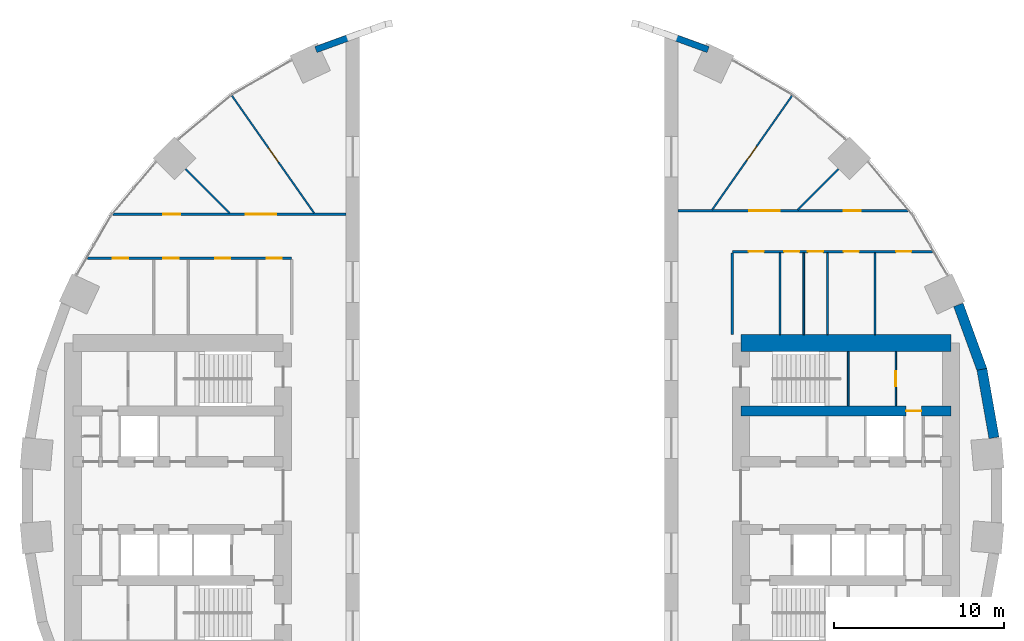
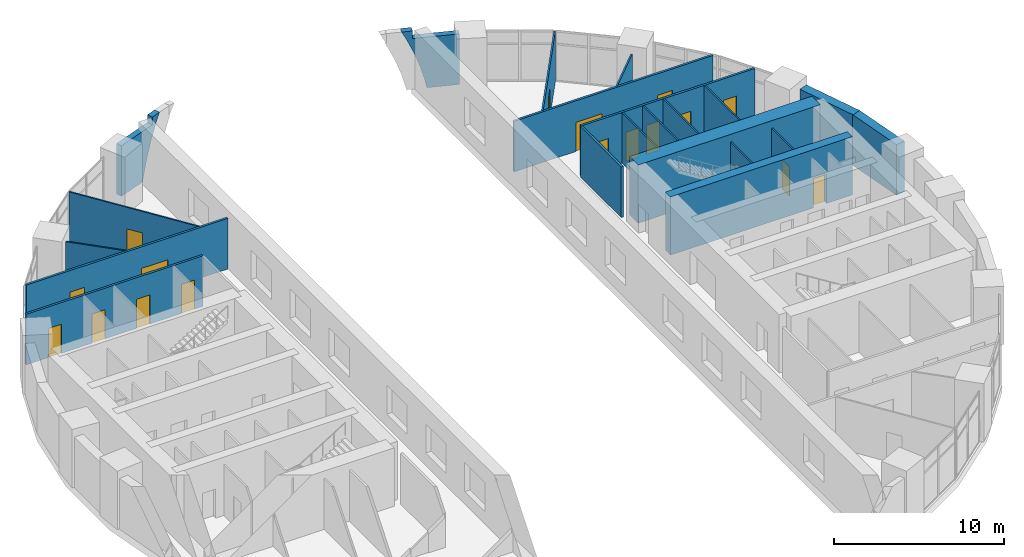
# One storey, part 11 of 13: 21 walls, 17 doors, 17 openings.
"""IFC4 building model written with IfcOpenShell, lengths in metres."""

from ifc_helpers import new_model, si_unit, direction, frame, frame_2d, origin, place, context, subcontext, project, spatial, polyline, rectangle, outline, extrude, material, layer, layer_set, type_object, element, fill, save


model = new_model("IFC4")

# Units and contexts
model_context = context("Model", 3, precision=1e-05, world=origin(), true_north=direction((0.0, 1.0)))
body_context = subcontext(model_context, "Body", "Model", "MODEL_VIEW")
ifc_project = project(units=[si_unit("LENGTHUNIT", "METRE"), si_unit("AREAUNIT", "SQUARE_METRE"), si_unit("VOLUMEUNIT", "CUBIC_METRE"), si_unit("PLANEANGLEUNIT", "RADIAN"), si_unit("MASSUNIT", "GRAM", prefix="KILO")], contexts=[model_context])

# Site, building, storey
site_placement = place(None, origin())
site = spatial("IfcSite", under=ifc_project, at=site_placement, CompositionType="ELEMENT")
building_placement = place(site_placement, origin())
building = spatial("IfcBuilding", under=site, at=building_placement, Name="Saqina Gate Tower", CompositionType="ELEMENT")
storey_placement = place(building_placement, frame((0.0, 0.0, 9.199951171875)))
storey = spatial("IfcBuildingStorey", under=building, at=storey_placement, Name="L02", CompositionType="ELEMENT", Elevation=9.199951171875)

# Wall, opening, door
ifc_material_1 = material(Name="Gypsum board on steel studs", Category="steel")
ifc_layer_1 = layer(ifc_material_1, 0.10009765625)
ifc_layer_set_1 = layer_set([ifc_layer_1], Name="CORE PARTITION")
wall_type_1 = type_object("IfcWallType", Name="CORE PARTITION", PredefinedType="PARTITIONING", material=ifc_layer_set_1)
wall_1_placement = place(storey_placement, frame((22.639892578125, 5.300048828125, 0.0), z_axis=(0.0, 0.0, 1.0), x_axis=(0.0, 1.0, 0.0)))
wall_1 = element("IfcWall", 1, at=wall_1_placement, inside=storey, type_object=wall_type_1, Name="L02-CP-E12", PredefinedType="PARTITIONING", context=body_context, shape_type="SweptSolid", body=[
    extrude(rectangle(XDim=3.199951171875, YDim=0.10009765625, at=frame_2d((1.60009765625, 0.0))), origin(), (0.0, 0.0, 1.0), 3.650146484375),
])
opening_1_placement = place(wall_1_placement, frame((1.14990234375, 0.0, 0.0)))
opening_1 = element("IfcOpeningElement", 2, at=opening_1_placement, cuts=wall_1, Name="Opening L02-D98", PredefinedType="OPENING", context=body_context, shape_type="SweptSolid", body=[
    extrude(rectangle(XDim=0.89990234375, YDim=2.10009765625, at=frame_2d((0.449951171875, 1.050048828125))), frame((0.0, 0.06201171875, 0.0), z_axis=(0.0, -1.0, 0.0), x_axis=(1.0, 0.0, 0.0)), (0.0, 0.0, 1.0), 0.1240234375),
])
ifc_material_2 = material(Name="Steel-framed fire door leaf, EI 60", Category="steel")
door_type_1 = type_object("IfcDoorType", Name="SERVICE ROOM DOOR 900", OperationType="SINGLE_SWING_LEFT", PredefinedType="DOOR", material=ifc_material_2)
door_1_placement = place(opening_1_placement, origin())
door_1 = element("IfcDoor", 3, at=door_1_placement, inside=storey, type_object=door_type_1, Name="L02-CD-E09", OperationType="SINGLE_SWING_LEFT", OverallHeight=2.10009765625, OverallWidth=0.89990234375, PredefinedType="DOOR", context=body_context, shape_type="SweptSolid", body=[
    extrude(rectangle(XDim=0.89990234375, YDim=2.10009765625, at=frame_2d((0.449951171875, 1.050048828125))), frame((0.0, 0.02490234375, 0.0), z_axis=(0.0, -1.0, 0.0), x_axis=(1.0, 0.0, 0.0)), (0.0, 0.0, 1.0), 0.050048828125),
])
fill(opening_1, door_1)

# Walls
ifc_material_3 = material(Name="Glazed ceramic tile", Category="ceramic")
ifc_layer_2 = layer(ifc_material_3, 0.3798828125)
ifc_layer_set_2 = layer_set([ifc_layer_2], Name="FW-ARCH")
wall_type_2 = type_object("IfcWallType", Name="FW-ARCH", PredefinedType="SOLIDWALL", material=ifc_layer_set_2)
wall_2_placement = place(storey_placement, frame((11.63427734375, 26.489501953125, 0.0), z_axis=(0.342051555154, 0.93967909211, 0.001984305274), x_axis=(-0.000667381896, -0.001868746859, 0.999998031191)))
element("IfcWall", 4, at=wall_2_placement, inside=storey, type_object=wall_type_2, Name="Arch frame wall L02 facet 7", PredefinedType="SOLIDWALL", context=body_context, shape_type="SweptSolid", body=[
    extrude(outline(polyline([(0.0, 0.0), (3.6501537019221018, -4.743384504624082e-20), (3.6501198020688137, -2.810119309742703), (4.199925557926761, -2.81025074623976), (4.199917719626534, -3.4670382149166654), (3.71920675976475, -3.2107254455572836), (2.622286896243544, -2.7269036098842347), (1.4948477201232493, -2.3276621119004526), (0.3427497354131093, -2.014606922465925), (-2.335139765218745e-05, -1.94881575440741), (0.0, 0.0)])), origin(), (0.0, 0.0, -1.0), 0.3798828125),
])
wall_3_placement = place(storey_placement, frame((-11.63427734375, 26.489501953125, 0.0), z_axis=(-0.342078632434, 0.939669193197, 0.002004142629), x_axis=(0.939671080385, 0.342079319292, 7.3534e-08)))
element("IfcWall", 5, at=wall_3_placement, inside=storey, type_object=wall_type_2, Name="Arch frame wall L02 facet 11", PredefinedType="SOLIDWALL", context=body_context, shape_type="SweptSolid", body=[
    extrude(outline(polyline([(0.0, 0.0), (1.948586339003385, -2.168404344971009e-19), (2.014602786141146, -0.34277404568991265), (2.3276440750591147, -1.4948758066941112), (2.7269554784534904, -2.6223193442076744), (3.2106805663229565, -3.719245502818647), (3.466987531791186, -4.1999595577321935), (2.810200064759203, -4.199959469454379), (2.810075262395404, -3.6501537122836964), (-4.4045588333095914e-05, -3.6501537012489695), (0.0, 0.0)])), origin(), (0.0, 0.0, -1.0), 0.3798828125),
])
ifc_material_4 = material(Name="Glazed ceramic tile", Category="ceramic")
ifc_layer_3 = layer(ifc_material_4, 0.60009765625)
ifc_layer_set_3 = layer_set([ifc_layer_3], Name="FW-TILE")
wall_type_3 = type_object("IfcWallType", Name="FW-TILE", PredefinedType="SOLIDWALL", material=ifc_layer_set_3)
wall_4_placement = place(storey_placement, frame((28.42822265625, 3.416748046875, 0.0), z_axis=(0.0, 0.0, 1.0), x_axis=(-0.173673210505, 0.984803338719, 0.0)))
element("IfcWall", 6, at=wall_4_placement, inside=storey, type_object=wall_type_3, Name="Facade wall L02 facet 1", PredefinedType="SOLIDWALL", context=body_context, shape_type="SweptSolid", body=[
    extrude(rectangle(XDim=4.09912109375, YDim=0.60009765625, at=frame_2d((2.049560546875, 0.0))), origin(), (0.0, 0.0, 1.0), 3.650146484375),
])
ifc_material_5 = material(Name="Glazed ceramic tile (white)", Category="ceramic")
ifc_layer_4 = layer(ifc_material_5, 0.60009765625)
ifc_layer_set_4 = layer_set([ifc_layer_4], Name="FW-TILE-WH")
wall_type_4 = type_object("IfcWallType", Name="FW-TILE-WH", PredefinedType="SOLIDWALL", material=ifc_layer_set_4)
wall_5_placement = place(storey_placement, frame((27.72998046875, 7.403076171875, 0.0), z_axis=(0.0, 0.0, 1.0), x_axis=(-0.342034744565, 0.939687306241, 0.0)))
element("IfcWall", 7, at=wall_5_placement, inside=storey, type_object=wall_type_4, Name="Facade wall L02 facet 2", PredefinedType="SOLIDWALL", context=body_context, shape_type="SweptSolid", body=[
    extrude(rectangle(XDim=4.099365234375, YDim=0.60009765625, at=frame_2d((2.0498046875, 0.0))), origin(), (0.0, 0.0, 1.0), 3.650146484375),
])

# Wall, opening, door
ifc_material_6 = material(Name="Gypsum board on steel studs, 100 mm", Category="steel")
ifc_layer_5 = layer(ifc_material_6, 0.10009765625)
ifc_layer_set_5 = layer_set([ifc_layer_5], Name="SPECIAL PARTITION 100")
wall_type_5 = type_object("IfcWallType", Name="SPECIAL PARTITION 100", PredefinedType="PARTITIONING", material=ifc_layer_set_5)
wall_6_placement = place(storey_placement, frame((-16.51904296875, 23.591064453125, 0.0), z_axis=(0.0, 0.0, 1.0), x_axis=(0.573574670768, -0.819153280561, 0.0)))
wall_6 = element("IfcWall", 8, at=wall_6_placement, inside=storey, type_object=wall_type_5, Name="PARTITION 001", PredefinedType="PARTITIONING", context=body_context, shape_type="SweptSolid", body=[
    extrude(rectangle(XDim=8.460205078125, YDim=0.10009765625, at=frame_2d((4.22998046875, 0.0))), origin(), (0.0, 0.0, 1.0), 3.650146484375),
])
opening_2_placement = place(wall_6_placement, frame((3.767578125, 0.0, 0.0)))
opening_2 = element("IfcOpeningElement", 9, at=opening_2_placement, cuts=wall_6, Name="Opening L02-D09", PredefinedType="OPENING", context=body_context, shape_type="SweptSolid", body=[
    extrude(rectangle(XDim=1.0, YDim=2.10009765625, at=frame_2d((0.5, 1.050048828125))), frame((0.0, 0.06201171875, 0.0), z_axis=(0.0, -1.0, 0.0), x_axis=(1.0, 0.0, 0.0)), (0.0, 0.0, 1.0), 0.1240234375),
])
ifc_material_7 = material(Name="Timber door leaf", Category="wood")
door_type_2 = type_object("IfcDoorType", Name="SPECIAL DOOR 1000 TIMBER", OperationType="SINGLE_SWING_LEFT", PredefinedType="DOOR", material=ifc_material_7)
door_2_placement = place(opening_2_placement, origin())
door_2 = element("IfcDoor", 10, at=door_2_placement, inside=storey, type_object=door_type_2, Name="DOOR L02-D09", OperationType="SINGLE_SWING_RIGHT", OverallHeight=2.10009765625, OverallWidth=1.0, PredefinedType="DOOR", context=body_context, shape_type="SweptSolid", body=[
    extrude(rectangle(XDim=1.0, YDim=2.10009765625, at=frame_2d((0.5, 1.050048828125))), frame((0.0, 0.02490234375, 0.0), z_axis=(0.0, -1.0, 0.0), x_axis=(1.0, 0.0, 0.0)), (0.0, 0.0, 1.0), 0.050048828125),
])
fill(opening_2, door_2)

# Walls
wall_7_placement = place(storey_placement, frame((-19.26171875, 19.26171875, 0.0), z_axis=(0.0, 0.0, 1.0), x_axis=(0.707106781187, -0.707106781187, 0.0)))
element("IfcWall", 11, at=wall_7_placement, inside=storey, type_object=wall_type_5, Name="PARTITION 004", PredefinedType="PARTITIONING", context=body_context, shape_type="SweptSolid", body=[
    extrude(rectangle(XDim=3.689208984375, YDim=0.10009765625, at=frame_2d((1.8447265625, 0.0))), origin(), (0.0, 0.0, 1.0), 3.650146484375),
])
wall_8_placement = place(storey_placement, frame((16.85302734375, 16.85302734375, 0.0), z_axis=(0.0, 0.0, 1.0), x_axis=(0.707106781187, 0.707106781187, 0.0)))
element("IfcWall", 12, at=wall_8_placement, inside=storey, type_object=wall_type_5, Name="PARTITION 014", PredefinedType="PARTITIONING", context=body_context, shape_type="SweptSolid", body=[
    extrude(rectangle(XDim=3.406494140625, YDim=0.10009765625, at=frame_2d((1.703125, 0.0))), origin(), (0.0, 0.0, 1.0), 3.650146484375),
])

# Wall, opening, door
wall_9_placement = place(storey_placement, frame((11.805908203125, 16.861328125, 0.0), z_axis=(0.0, 0.0, 1.0), x_axis=(0.573651788308, 0.819099277115, 0.0)))
wall_9 = element("IfcWall", 13, at=wall_9_placement, inside=storey, type_object=wall_type_5, Name="PARTITION 016", PredefinedType="PARTITIONING", context=body_context, shape_type="SweptSolid", body=[
    extrude(rectangle(XDim=8.216064453125, YDim=0.10009765625, at=frame_2d((4.10791015625, 0.0))), origin(), (0.0, 0.0, 1.0), 3.650146484375),
])
opening_3_placement = place(wall_9_placement, frame((3.5703125, 0.0, 0.0)))
opening_3 = element("IfcOpeningElement", 14, at=opening_3_placement, cuts=wall_9, Name="Opening L02-D08", PredefinedType="OPENING", context=body_context, shape_type="SweptSolid", body=[
    extrude(rectangle(XDim=1.0, YDim=2.10009765625, at=frame_2d((0.5, 1.050048828125))), frame((0.0, 0.06201171875, 0.0), z_axis=(0.0, -1.0, 0.0), x_axis=(1.0, 0.0, 0.0)), (0.0, 0.0, 1.0), 0.1240234375),
])
door_3_placement = place(opening_3_placement, origin())
door_3 = element("IfcDoor", 15, at=door_3_placement, inside=storey, type_object=door_type_2, Name="DOOR L02-D08", OperationType="SINGLE_SWING_LEFT", OverallHeight=2.10009765625, OverallWidth=1.0, PredefinedType="DOOR", context=body_context, shape_type="SweptSolid", body=[
    extrude(rectangle(XDim=1.0, YDim=2.10009765625, at=frame_2d((0.5, 1.050048828125))), frame((0.0, 0.02490234375, 0.0), z_axis=(0.0, -1.0, 0.0), x_axis=(1.0, 0.0, 0.0)), (0.0, 0.0, 1.0), 0.050048828125),
])
fill(opening_3, door_3)

# Walls
for number, where, z_axis, x_axis, name in (
    (16, (21.406982421875, 9.5, 0.0), (0.0, 0.0, 1.0), (0.0, 1.0, 0.0), "PARTITION 018"),
    (17, (18.60498046875, 9.5, 0.0), (0.0, 0.0, 1.0), (0.0, 1.0, 0.0), "PARTITION 019"),
    (18, (17.2041015625, 9.5, 0.0), (0.0, 0.0, 1.0), (0.0, 1.0, 0.0), "PARTITION 021"),
    (19, (15.802001953125, 9.5, 0.0), (0.0, 0.0, 1.0), (0.0, 1.0, 0.0), "PARTITION 022"),
):
    element("IfcWall", number, at=place(storey_placement, frame(where, z_axis=z_axis, x_axis=x_axis)), inside=storey, type_object=wall_type_5, Name=name, PredefinedType="PARTITIONING", context=body_context, shape_type="SweptSolid", body=[
        extrude(rectangle(XDim=4.824951171875, YDim=0.10009765625, at=frame_2d((2.41259765625, 0.0))), origin(), (0.0, 0.0, 1.0), 3.650146484375),
    ])

# Wall, openings, doors
ifc_material_8 = material(Name="Gypsum board on steel studs, 150 mm, fire rated", Category="steel")
ifc_layer_6 = layer(ifc_material_8, 0.14990234375)
ifc_layer_set_6 = layer_set([ifc_layer_6], Name="SPECIAL PARTITION EI 30 150")
wall_type_6 = type_object("IfcWallType", Name="SPECIAL PARTITION EI 30 150", PredefinedType="PARTITIONING", material=ifc_layer_set_6)
wall_10_placement = place(storey_placement, frame((-25.044921875, 14.0, 0.0), z_axis=(0.0, 0.0, 1.0), x_axis=(1.0, 0.0, 0.0)))
wall_10 = element("IfcWall", 20, at=wall_10_placement, inside=storey, type_object=wall_type_6, Name="PARTITION 009", PredefinedType="PARTITIONING", context=body_context, shape_type="SweptSolid", body=[
    extrude(rectangle(XDim=12.044921875, YDim=0.14990234375, at=frame_2d((6.0224609375, 0.0))), origin(), (0.0, 0.0, 1.0), 3.650146484375),
])
opening_4_placement = place(wall_10_placement, frame((10.57861328125, 0.0, 0.0)))
opening_4 = element("IfcOpeningElement", 21, at=opening_4_placement, cuts=wall_10, Name="Opening L02-D11", PredefinedType="OPENING", context=body_context, shape_type="SweptSolid", body=[
    extrude(rectangle(XDim=0.89990234375, YDim=2.10009765625, at=frame_2d((0.449951171875, 1.050048828125))), frame((0.0, 0.0869140625, 0.0), z_axis=(0.0, -1.0, 0.0), x_axis=(1.0, 0.0, 0.0)), (0.0, 0.0, 1.0), 0.173828125),
])
opening_5_placement = place(wall_10_placement, frame((7.528564453125, 0.0, 0.0)))
opening_5 = element("IfcOpeningElement", 22, at=opening_5_placement, cuts=wall_10, Name="Opening L02-D13", PredefinedType="OPENING", context=body_context, shape_type="SweptSolid", body=[
    extrude(rectangle(XDim=0.89990234375, YDim=2.10009765625, at=frame_2d((0.449951171875, 1.050048828125))), frame((0.0, 0.0869140625, 0.0), z_axis=(0.0, -1.0, 0.0), x_axis=(1.0, 0.0, 0.0)), (0.0, 0.0, 1.0), 0.173828125),
])
opening_6_placement = place(wall_10_placement, frame((4.478515625, 0.0, 0.0)))
opening_6 = element("IfcOpeningElement", 23, at=opening_6_placement, cuts=wall_10, Name="Opening L02-D14", PredefinedType="OPENING", context=body_context, shape_type="SweptSolid", body=[
    extrude(rectangle(XDim=0.89990234375, YDim=2.10009765625, at=frame_2d((0.449951171875, 1.050048828125))), frame((0.0, 0.0869140625, 0.0), z_axis=(0.0, -1.0, 0.0), x_axis=(1.0, 0.0, 0.0)), (0.0, 0.0, 1.0), 0.173828125),
])
opening_7_placement = place(wall_10_placement, frame((1.506103515625, 0.0, 0.0)))
opening_7 = element("IfcOpeningElement", 24, at=opening_7_placement, cuts=wall_10, Name="Opening L02-D15", PredefinedType="OPENING", context=body_context, shape_type="SweptSolid", body=[
    extrude(rectangle(XDim=0.89990234375, YDim=2.10009765625, at=frame_2d((0.449951171875, 1.050048828125))), frame((0.0, 0.0869140625, 0.0), z_axis=(0.0, -1.0, 0.0), x_axis=(1.0, 0.0, 0.0)), (0.0, 0.0, 1.0), 0.173828125),
])
ifc_material_9 = material(Name="Steel-framed fire door leaf, EI 30", Category="steel")
door_type_3 = type_object("IfcDoorType", Name="SPECIAL DOOR 900 FIRE EI 30", OperationType="SINGLE_SWING_LEFT", PredefinedType="DOOR", material=ifc_material_9)
door_4_placement = place(opening_4_placement, frame((0.89990234375, 0.0, 0.0), z_axis=(0.0, 0.0, 1.0), x_axis=(-1.0, 0.0, 0.0)))
door_4 = element("IfcDoor", 25, at=door_4_placement, inside=storey, type_object=door_type_3, Name="DOOR L02-D11", OperationType="SINGLE_SWING_LEFT", OverallHeight=2.10009765625, OverallWidth=0.89990234375, PredefinedType="DOOR", context=body_context, shape_type="SweptSolid", body=[
    extrude(rectangle(XDim=0.89990234375, YDim=2.10009765625, at=frame_2d((0.449951171875, 1.050048828125))), frame((0.0, 0.02490234375, 0.0), z_axis=(0.0, -1.0, 0.0), x_axis=(1.0, 0.0, 0.0)), (0.0, 0.0, 1.0), 0.050048828125),
])
fill(opening_4, door_4)
door_5_placement = place(opening_5_placement, frame((0.89990234375, 0.0, 0.0), z_axis=(0.0, 0.0, 1.0), x_axis=(-1.0, 0.0, 0.0)))
door_5 = element("IfcDoor", 26, at=door_5_placement, inside=storey, type_object=door_type_3, Name="DOOR L02-D13", OperationType="SINGLE_SWING_LEFT", OverallHeight=2.10009765625, OverallWidth=0.89990234375, PredefinedType="DOOR", context=body_context, shape_type="SweptSolid", body=[
    extrude(rectangle(XDim=0.89990234375, YDim=2.10009765625, at=frame_2d((0.449951171875, 1.050048828125))), frame((0.0, 0.02490234375, 0.0), z_axis=(0.0, -1.0, 0.0), x_axis=(1.0, 0.0, 0.0)), (0.0, 0.0, 1.0), 0.050048828125),
])
fill(opening_5, door_5)
door_6_placement = place(opening_6_placement, frame((0.89990234375, 0.0, 0.0), z_axis=(0.0, 0.0, 1.0), x_axis=(-1.0, 0.0, 0.0)))
door_6 = element("IfcDoor", 27, at=door_6_placement, inside=storey, type_object=door_type_3, Name="DOOR L02-D14", OperationType="SINGLE_SWING_RIGHT", OverallHeight=2.10009765625, OverallWidth=0.89990234375, PredefinedType="DOOR", context=body_context, shape_type="SweptSolid", body=[
    extrude(rectangle(XDim=0.89990234375, YDim=2.10009765625, at=frame_2d((0.449951171875, 1.050048828125))), frame((0.0, 0.02490234375, 0.0), z_axis=(0.0, -1.0, 0.0), x_axis=(1.0, 0.0, 0.0)), (0.0, 0.0, 1.0), 0.050048828125),
])
fill(opening_6, door_6)
door_7_placement = place(opening_7_placement, frame((0.89990234375, 0.0, 0.0), z_axis=(0.0, 0.0, 1.0), x_axis=(-1.0, 0.0, 0.0)))
door_7 = element("IfcDoor", 28, at=door_7_placement, inside=storey, type_object=door_type_3, Name="DOOR L02-D15", OperationType="SINGLE_SWING_RIGHT", OverallHeight=2.10009765625, OverallWidth=0.89990234375, PredefinedType="DOOR", context=body_context, shape_type="SweptSolid", body=[
    extrude(rectangle(XDim=0.89990234375, YDim=2.10009765625, at=frame_2d((0.449951171875, 1.050048828125))), frame((0.0, 0.02490234375, 0.0), z_axis=(0.0, -1.0, 0.0), x_axis=(1.0, 0.0, 0.0)), (0.0, 0.0, 1.0), 0.050048828125),
])
fill(opening_7, door_7)

wall_11_placement = place(storey_placement, frame((13.0, 14.39990234375, 0.0), z_axis=(0.0, 0.0, 1.0), x_axis=(1.0, 0.0, 0.0)))
wall_11 = element("IfcWall", 29, at=wall_11_placement, inside=storey, type_object=wall_type_6, Name="PARTITION 010", PredefinedType="PARTITIONING", context=body_context, shape_type="SweptSolid", body=[
    extrude(rectangle(XDim=11.81396484375, YDim=0.14990234375, at=frame_2d((5.906982421875, 0.0))), origin(), (0.0, 0.0, 1.0), 3.650146484375),
])
opening_8_placement = place(wall_11_placement, frame((9.660400390625, 0.0, 0.0)))
opening_8 = element("IfcOpeningElement", 30, at=opening_8_placement, cuts=wall_11, Name="Opening L02-D01", PredefinedType="OPENING", context=body_context, shape_type="SweptSolid", body=[
    extrude(rectangle(XDim=0.89990234375, YDim=2.10009765625, at=frame_2d((0.449951171875, 1.050048828125))), frame((0.0, 0.0869140625, 0.0), z_axis=(0.0, -1.0, 0.0), x_axis=(1.0, 0.0, 0.0)), (0.0, 0.0, 1.0), 0.173828125),
])
opening_9_placement = place(wall_11_placement, frame((6.555908203125, 0.0, 0.0)))
opening_9 = element("IfcOpeningElement", 31, at=opening_9_placement, cuts=wall_11, Name="Opening L02-D02", PredefinedType="OPENING", context=body_context, shape_type="SweptSolid", body=[
    extrude(rectangle(XDim=0.89990234375, YDim=2.10009765625, at=frame_2d((0.449951171875, 1.050048828125))), frame((0.0, 0.0869140625, 0.0), z_axis=(0.0, -1.0, 0.0), x_axis=(1.0, 0.0, 0.0)), (0.0, 0.0, 1.0), 0.173828125),
])
opening_10_placement = place(wall_11_placement, frame((4.45458984375, 0.0, 0.0)))
opening_10 = element("IfcOpeningElement", 32, at=opening_10_placement, cuts=wall_11, Name="Opening L02-D03", PredefinedType="OPENING", context=body_context, shape_type="SweptSolid", body=[
    extrude(rectangle(XDim=0.89990234375, YDim=2.10009765625, at=frame_2d((0.449951171875, 1.050048828125))), frame((0.0, 0.0869140625, 0.0), z_axis=(0.0, -1.0, 0.0), x_axis=(1.0, 0.0, 0.0)), (0.0, 0.0, 1.0), 0.173828125),
])
opening_11_placement = place(wall_11_placement, frame((3.052978515625, 0.0, 0.0)))
opening_11 = element("IfcOpeningElement", 33, at=opening_11_placement, cuts=wall_11, Name="Opening L02-D05", PredefinedType="OPENING", context=body_context, shape_type="SweptSolid", body=[
    extrude(rectangle(XDim=0.89990234375, YDim=2.10009765625, at=frame_2d((0.449951171875, 1.050048828125))), frame((0.0, 0.0869140625, 0.0), z_axis=(0.0, -1.0, 0.0), x_axis=(1.0, 0.0, 0.0)), (0.0, 0.0, 1.0), 0.173828125),
])
opening_12_placement = place(wall_11_placement, frame((0.950927734375, 0.0, 0.0)))
opening_12 = element("IfcOpeningElement", 34, at=opening_12_placement, cuts=wall_11, Name="Opening L02-D06", PredefinedType="OPENING", context=body_context, shape_type="SweptSolid", body=[
    extrude(rectangle(XDim=0.89990234375, YDim=2.10009765625, at=frame_2d((0.449951171875, 1.050048828125))), frame((0.0, 0.0869140625, 0.0), z_axis=(0.0, -1.0, 0.0), x_axis=(1.0, 0.0, 0.0)), (0.0, 0.0, 1.0), 0.173828125),
])
door_8_placement = place(opening_8_placement, frame((0.89990234375, 0.0, 0.0), z_axis=(0.0, 0.0, 1.0), x_axis=(-1.0, 0.0, 0.0)))
door_8 = element("IfcDoor", 35, at=door_8_placement, inside=storey, type_object=door_type_3, Name="DOOR L02-D01", OperationType="SINGLE_SWING_LEFT", OverallHeight=2.10009765625, OverallWidth=0.89990234375, PredefinedType="DOOR", context=body_context, shape_type="SweptSolid", body=[
    extrude(rectangle(XDim=0.89990234375, YDim=2.10009765625, at=frame_2d((0.449951171875, 1.050048828125))), frame((0.0, 0.02490234375, 0.0), z_axis=(0.0, -1.0, 0.0), x_axis=(1.0, 0.0, 0.0)), (0.0, 0.0, 1.0), 0.050048828125),
])
fill(opening_8, door_8)
door_9_placement = place(opening_9_placement, frame((0.89990234375, 0.0, 0.0), z_axis=(0.0, 0.0, 1.0), x_axis=(-1.0, 0.0, 0.0)))
door_9 = element("IfcDoor", 36, at=door_9_placement, inside=storey, type_object=door_type_3, Name="DOOR L02-D02", OperationType="SINGLE_SWING_LEFT", OverallHeight=2.10009765625, OverallWidth=0.89990234375, PredefinedType="DOOR", context=body_context, shape_type="SweptSolid", body=[
    extrude(rectangle(XDim=0.89990234375, YDim=2.10009765625, at=frame_2d((0.449951171875, 1.050048828125))), frame((0.0, 0.02490234375, 0.0), z_axis=(0.0, -1.0, 0.0), x_axis=(1.0, 0.0, 0.0)), (0.0, 0.0, 1.0), 0.050048828125),
])
fill(opening_9, door_9)
door_10_placement = place(opening_10_placement, frame((0.89990234375, 0.0, 0.0), z_axis=(0.0, 0.0, 1.0), x_axis=(-1.0, 0.0, 0.0)))
door_10 = element("IfcDoor", 37, at=door_10_placement, inside=storey, type_object=door_type_3, Name="DOOR L02-D03", OperationType="SINGLE_SWING_RIGHT", OverallHeight=2.10009765625, OverallWidth=0.89990234375, PredefinedType="DOOR", context=body_context, shape_type="SweptSolid", body=[
    extrude(rectangle(XDim=0.89990234375, YDim=2.10009765625, at=frame_2d((0.449951171875, 1.050048828125))), frame((0.0, 0.02490234375, 0.0), z_axis=(0.0, -1.0, 0.0), x_axis=(1.0, 0.0, 0.0)), (0.0, 0.0, 1.0), 0.050048828125),
])
fill(opening_10, door_10)
door_11_placement = place(opening_11_placement, frame((0.89990234375, 0.0, 0.0), z_axis=(0.0, 0.0, 1.0), x_axis=(-1.0, 0.0, 0.0)))
door_11 = element("IfcDoor", 38, at=door_11_placement, inside=storey, type_object=door_type_3, Name="DOOR L02-D05", OperationType="SINGLE_SWING_RIGHT", OverallHeight=2.10009765625, OverallWidth=0.89990234375, PredefinedType="DOOR", context=body_context, shape_type="SweptSolid", body=[
    extrude(rectangle(XDim=0.89990234375, YDim=2.10009765625, at=frame_2d((0.449951171875, 1.050048828125))), frame((0.0, 0.02490234375, 0.0), z_axis=(0.0, -1.0, 0.0), x_axis=(1.0, 0.0, 0.0)), (0.0, 0.0, 1.0), 0.050048828125),
])
fill(opening_11, door_11)
door_12_placement = place(opening_12_placement, frame((0.89990234375, 0.0, 0.0), z_axis=(0.0, 0.0, 1.0), x_axis=(-1.0, 0.0, 0.0)))
door_12 = element("IfcDoor", 39, at=door_12_placement, inside=storey, type_object=door_type_3, Name="DOOR L02-D06", OperationType="SINGLE_SWING_RIGHT", OverallHeight=2.10009765625, OverallWidth=0.89990234375, PredefinedType="DOOR", context=body_context, shape_type="SweptSolid", body=[
    extrude(rectangle(XDim=0.89990234375, YDim=2.10009765625, at=frame_2d((0.449951171875, 1.050048828125))), frame((0.0, 0.02490234375, 0.0), z_axis=(0.0, -1.0, 0.0), x_axis=(1.0, 0.0, 0.0)), (0.0, 0.0, 1.0), 0.050048828125),
])
fill(opening_12, door_12)

wall_12_placement = place(storey_placement, frame((-23.52294921875, 16.60009765625, 0.0), z_axis=(0.0, 0.0, 1.0), x_axis=(1.0, 0.0, 0.0)))
wall_12 = element("IfcWall", 40, at=wall_12_placement, inside=storey, type_object=wall_type_6, Name="PARTITION 011", PredefinedType="PARTITIONING", context=body_context, shape_type="SweptSolid", body=[
    extrude(rectangle(XDim=13.722900390625, YDim=0.14990234375, at=frame_2d((6.861328125, 0.0))), origin(), (0.0, 0.0, 1.0), 3.650146484375),
])
opening_13_placement = place(wall_12_placement, frame((7.824951171875, 0.0, 0.0)))
opening_13 = element("IfcOpeningElement", 41, at=opening_13_placement, cuts=wall_12, Name="Opening L02-D10", PredefinedType="OPENING", context=body_context, shape_type="SweptSolid", body=[
    extrude(rectangle(XDim=1.800048828125, YDim=2.10009765625, at=frame_2d((0.89990234375, 1.050048828125))), frame((0.0, 0.0869140625, 0.0), z_axis=(0.0, -1.0, 0.0), x_axis=(1.0, 0.0, 0.0)), (0.0, 0.0, 1.0), 0.173828125),
])
opening_14_placement = place(wall_12_placement, frame((2.96142578125, 0.0, 0.0)))
opening_14 = element("IfcOpeningElement", 42, at=opening_14_placement, cuts=wall_12, Name="Opening L02-D12", PredefinedType="OPENING", context=body_context, shape_type="SweptSolid", body=[
    extrude(rectangle(XDim=1.0, YDim=2.10009765625, at=frame_2d((0.5, 1.050048828125))), frame((0.0, 0.0869140625, 0.0), z_axis=(0.0, -1.0, 0.0), x_axis=(1.0, 0.0, 0.0)), (0.0, 0.0, 1.0), 0.173828125),
])
ifc_material_10 = material(Name="Steel-framed fire door leaf, EI 30", Category="steel")
door_type_4 = type_object("IfcDoorType", Name="SPECIAL DOOR 1000 FIRE EI 30", OperationType="SINGLE_SWING_LEFT", PredefinedType="DOOR", material=ifc_material_10)
door_13_placement = place(opening_14_placement, origin())
door_13 = element("IfcDoor", 43, at=door_13_placement, inside=storey, type_object=door_type_4, Name="DOOR L02-D12", OperationType="SINGLE_SWING_LEFT", OverallHeight=2.10009765625, OverallWidth=1.0, PredefinedType="DOOR", context=body_context, shape_type="SweptSolid", body=[
    extrude(rectangle(XDim=1.0, YDim=2.10009765625, at=frame_2d((0.5, 1.050048828125))), frame((0.0, 0.02490234375, 0.0), z_axis=(0.0, -1.0, 0.0), x_axis=(1.0, 0.0, 0.0)), (0.0, 0.0, 1.0), 0.050048828125),
])
fill(opening_14, door_13)
ifc_material_11 = material(Name="Steel-framed fire door leaf, EI 30", Category="steel")
door_type_5 = type_object("IfcDoorType", Name="SPECIAL DOUBLE DOOR 1800 FIRE EI 30", OperationType="DOUBLE_DOOR_SINGLE_SWING", PredefinedType="DOOR", material=ifc_material_11)
door_14_placement = place(opening_13_placement, origin())
door_14 = element("IfcDoor", 44, at=door_14_placement, inside=storey, type_object=door_type_5, Name="DOOR L02-D10", OperationType="DOUBLE_DOOR_SINGLE_SWING", OverallHeight=2.10009765625, OverallWidth=1.800048828125, PredefinedType="DOOR", context=body_context, shape_type="SweptSolid", body=[
    extrude(rectangle(XDim=1.800048828125, YDim=2.10009765625, at=frame_2d((0.89990234375, 1.050048828125))), frame((0.0, 0.02490234375, 0.0), z_axis=(0.0, -1.0, 0.0), x_axis=(1.0, 0.0, 0.0)), (0.0, 0.0, 1.0), 0.050048828125),
])
fill(opening_13, door_14)

wall_13_placement = place(storey_placement, frame((9.800048828125, 16.800048828125, 0.0), z_axis=(0.0, 0.0, 1.0), x_axis=(1.0, 0.0, 0.0)))
wall_13 = element("IfcWall", 45, at=wall_13_placement, inside=storey, type_object=wall_type_6, Name="PARTITION 012", PredefinedType="PARTITIONING", context=body_context, shape_type="SweptSolid", body=[
    extrude(rectangle(XDim=13.554931640625, YDim=0.14990234375, at=frame_2d((6.77734375, 0.0))), origin(), (0.0, 0.0, 1.0), 3.650146484375),
])
opening_15_placement = place(wall_13_placement, frame((9.777587890625, 0.0, 0.0)))
opening_15 = element("IfcOpeningElement", 46, at=opening_15_placement, cuts=wall_13, Name="Opening L02-D04", PredefinedType="OPENING", context=body_context, shape_type="SweptSolid", body=[
    extrude(rectangle(XDim=1.0, YDim=2.10009765625, at=frame_2d((0.5, 1.050048828125))), frame((0.0, 0.0869140625, 0.0), z_axis=(0.0, -1.0, 0.0), x_axis=(1.0, 0.0, 0.0)), (0.0, 0.0, 1.0), 0.173828125),
])
opening_16_placement = place(wall_13_placement, frame((4.197998046875, 0.0, 0.0)))
opening_16 = element("IfcOpeningElement", 47, at=opening_16_placement, cuts=wall_13, Name="Opening L02-D07", PredefinedType="OPENING", context=body_context, shape_type="SweptSolid", body=[
    extrude(rectangle(XDim=1.800048828125, YDim=2.10009765625, at=frame_2d((0.89990234375, 1.050048828125))), frame((0.0, 0.0869140625, 0.0), z_axis=(0.0, -1.0, 0.0), x_axis=(1.0, 0.0, 0.0)), (0.0, 0.0, 1.0), 0.173828125),
])
door_15_placement = place(opening_15_placement, origin())
door_15 = element("IfcDoor", 48, at=door_15_placement, inside=storey, type_object=door_type_4, Name="DOOR L02-D04", OperationType="SINGLE_SWING_RIGHT", OverallHeight=2.10009765625, OverallWidth=1.0, PredefinedType="DOOR", context=body_context, shape_type="SweptSolid", body=[
    extrude(rectangle(XDim=1.0, YDim=2.10009765625, at=frame_2d((0.5, 1.050048828125))), frame((0.0, 0.02490234375, 0.0), z_axis=(0.0, -1.0, 0.0), x_axis=(1.0, 0.0, 0.0)), (0.0, 0.0, 1.0), 0.050048828125),
])
fill(opening_15, door_15)
door_16_placement = place(opening_16_placement, origin())
door_16 = element("IfcDoor", 49, at=door_16_placement, inside=storey, type_object=door_type_5, Name="DOOR L02-D07", OperationType="DOUBLE_DOOR_SINGLE_SWING", OverallHeight=2.10009765625, OverallWidth=1.800048828125, PredefinedType="DOOR", context=body_context, shape_type="SweptSolid", body=[
    extrude(rectangle(XDim=1.800048828125, YDim=2.10009765625, at=frame_2d((0.89990234375, 1.050048828125))), frame((0.0, 0.02490234375, 0.0), z_axis=(0.0, -1.0, 0.0), x_axis=(1.0, 0.0, 0.0)), (0.0, 0.0, 1.0), 0.050048828125),
])
fill(opening_16, door_16)

# Walls
wall_14_placement = place(storey_placement, frame((13.0, 9.5, 0.0), z_axis=(0.0, 0.0, 1.0), x_axis=(0.0, 1.0, 0.0)))
element("IfcWall", 50, at=wall_14_placement, inside=storey, type_object=wall_type_6, Name="PARTITION 025", PredefinedType="PARTITIONING", context=body_context, shape_type="SweptSolid", body=[
    extrude(rectangle(XDim=4.824951171875, YDim=0.14990234375, at=frame_2d((2.41259765625, 0.0))), origin(), (0.0, 0.0, 1.0), 3.650146484375),
])
ifc_material_12 = material(Name="Autoclaved aerated concrete block", Category="concrete")
ifc_layer_7 = layer(ifc_material_12, 0.10009765625)
ifc_layer_set_7 = layer_set([ifc_layer_7], Name="STAIR ENCLOSURE WALL")
wall_type_7 = type_object("IfcWallType", Name="STAIR ENCLOSURE WALL", PredefinedType="PARTITIONING", material=ifc_layer_set_7)
wall_15_placement = place(storey_placement, frame((19.830078125, 5.300048828125, 0.0), z_axis=(0.0, 0.0, 1.0), x_axis=(0.0, 1.0, 0.0)))
element("IfcWall", 51, at=wall_15_placement, inside=storey, type_object=wall_type_7, Name="L02-CP-E11", PredefinedType="PARTITIONING", context=body_context, shape_type="SweptSolid", body=[
    extrude(rectangle(XDim=3.199951171875, YDim=0.10009765625, at=frame_2d((1.60009765625, 0.0))), origin(), (0.0, 0.0, 1.0), 3.650146484375),
])

# Wall, opening, door
ifc_material_13 = material(Name="Concrete C70/85", Category="concrete")
ifc_layer_8 = layer(ifc_material_13, 0.60009765625)
ifc_layer_set_8 = layer_set([ifc_layer_8], Name="Concrete C70/85")
wall_type_8 = type_object("IfcWallType", Name="STR-CORE WALL-P-I", PredefinedType="SHEAR", material=ifc_layer_set_8)
wall_16_placement = place(storey_placement, frame((13.5, 5.0, 0.0), z_axis=(0.0, 0.0, 1.0), x_axis=(1.0, 0.0, 0.0)))
wall_16 = element("IfcWall", 52, at=wall_16_placement, inside=storey, type_object=wall_type_8, Name="CORE WALL L02 E-X1", PredefinedType="SHEAR", context=body_context, shape_type="SweptSolid", body=[
    extrude(rectangle(XDim=12.39990234375, YDim=0.60009765625, at=frame_2d((6.199951171875, 0.0))), origin(), (0.0, 0.0, 1.0), 4.199951171875),
])
opening_17_placement = place(wall_16_placement, frame((9.739990234375, 0.0, 0.0)))
opening_17 = element("IfcOpeningElement", 53, at=opening_17_placement, cuts=wall_16, Name="Opening L02-D99", PredefinedType="OPENING", context=body_context, shape_type="SweptSolid", body=[
    extrude(rectangle(XDim=0.89990234375, YDim=2.10009765625, at=frame_2d((0.449951171875, 1.050048828125))), frame((0.0, 0.31201171875, 0.0), z_axis=(0.0, -1.0, 0.0), x_axis=(1.0, 0.0, 0.0)), (0.0, 0.0, 1.0), 0.6240234375),
])
door_17_placement = place(opening_17_placement, origin())
door_17 = element("IfcDoor", 54, at=door_17_placement, inside=storey, type_object=door_type_1, Name="L02-CD-E10", OperationType="SINGLE_SWING_LEFT", OverallHeight=2.10009765625, OverallWidth=0.89990234375, PredefinedType="DOOR", context=body_context, shape_type="SweptSolid", body=[
    extrude(rectangle(XDim=0.89990234375, YDim=2.10009765625, at=frame_2d((0.449951171875, 1.050048828125))), frame((0.0, 0.02490234375, 0.0), z_axis=(0.0, -1.0, 0.0), x_axis=(1.0, 0.0, 0.0)), (0.0, 0.0, 1.0), 0.050048828125),
])
fill(opening_17, door_17)

# Wall
ifc_material_14 = material(Name="Concrete C70/85", Category="concrete")
ifc_layer_9 = layer(ifc_material_14, 1.0)
ifc_layer_set_9 = layer_set([ifc_layer_9], Name="Concrete C70/85")
wall_type_9 = type_object("IfcWallType", Name="STR-CORE WALL-P-O", PredefinedType="SHEAR", material=ifc_layer_set_9)
wall_17_placement = place(storey_placement, frame((13.5, 9.0, 0.0), z_axis=(0.0, 0.0, 1.0), x_axis=(1.0, 0.0, 0.0)))
element("IfcWall", 55, at=wall_17_placement, inside=storey, type_object=wall_type_9, Name="CORE WALL L02 E-NE", PredefinedType="SHEAR", context=body_context, shape_type="SweptSolid", body=[
    extrude(rectangle(XDim=12.39990234375, YDim=1.0, at=frame_2d((6.199951171875, 0.0))), origin(), (0.0, 0.0, 1.0), 4.199951171875),
])

save(model, "model.ifc")
